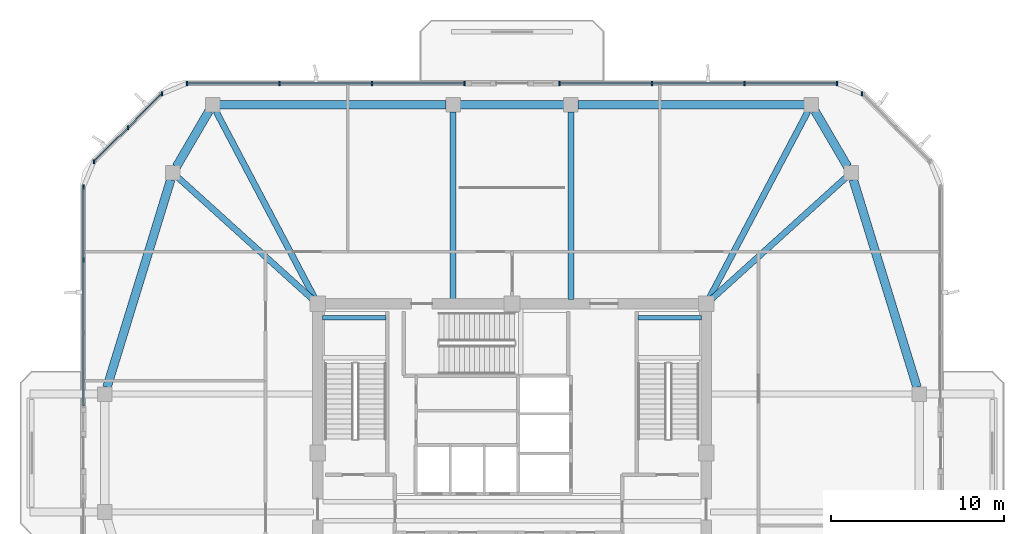
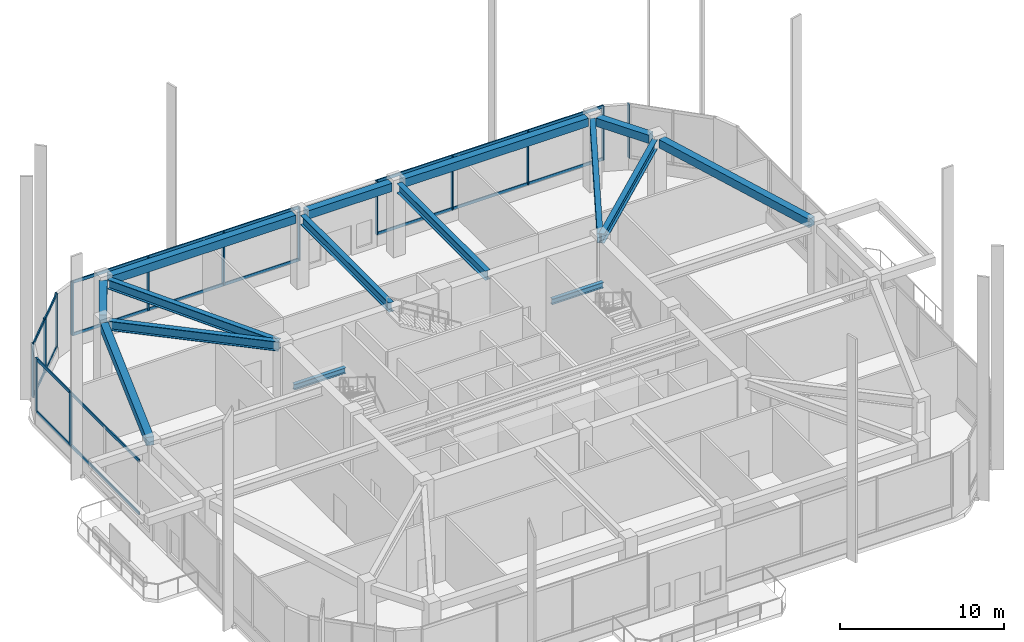
# One storey, part 4 of 14: 22 members, 15 beams, 5 elements without a shape of their own.
"""IFC4 building model written with IfcOpenShell, lengths in metres."""

import ifcopenshell
import ifcopenshell.guid

model = None  # the IFC model being written
_history = None  # IfcOwnerHistory: only IFC2X3 demands one
_inside = {}  # id of a spatial element -> (the spatial element, [elements in it])
_under = {}  # id of a project, library or spatial element -> (it, [spatial elements below it])
_declared = {}  # id of a project -> (the project, [libraries it declares])
_typed = {}  # id of a type object -> (the type object, [elements of that type])
_made_of = {}  # id of a material, layer set ... -> (it, [elements and type objects made of it])


def new_model(schema):
    """Start an empty IFC model of exactly this schema.

    Asked for "IFC4X3", IfcOpenShell would pick the latest addendum, in which some entities
    have other attributes; the version numbers below select the first issue.
    IFC2X3 requires an IfcOwnerHistory on every rooted entity: one is made here for all.
    """
    global model, _history
    if schema == "IFC4X3":
        model = ifcopenshell.file(schema_version=(4, 3, 0, 0))
    else:
        model = ifcopenshell.file(schema=schema)
    _inside.clear()
    _under.clear()
    _declared.clear()
    _typed.clear()
    _made_of.clear()
    _history = None
    if model.schema == "IFC2X3":
        org = make("IfcOrganization", Name="unknown")
        user = make(
            "IfcPersonAndOrganization",
            ThePerson=make("IfcPerson", FamilyName="unknown"),
            TheOrganization=org,
        )
        app = make(
            "IfcApplication",
            ApplicationDeveloper=org,
            Version="unknown",
            ApplicationFullName="unknown",
            ApplicationIdentifier="unknown",
        )
        _history = make(
            "IfcOwnerHistory",
            OwningUser=user,
            OwningApplication=app,
            ChangeAction="ADDED",
            CreationDate=0,
        )
    return model


def make(cls, **values):
    """One entity of the class cls with the attributes given. An attribute that is None is left unset."""
    return model.create_entity(
        cls, **{name: value for name, value in values.items() if value is not None}
    )


def rooted(cls, **values):
    """An entity with a GlobalId (a new one), such as an element, a storey or a relation."""
    return make(cls, GlobalId=ifcopenshell.guid.new(), OwnerHistory=_history, **values)


def si_unit(unit_type, name, prefix=None):
    """IfcSIUnit, for example si_unit("LENGTHUNIT", "METRE", prefix="MILLI")."""
    return make("IfcSIUnit", UnitType=unit_type, Prefix=prefix, Name=name)


def derived_unit(unit_type, elements):
    """IfcDerivedUnit: a product of units, each with its exponent."""
    return make(
        "IfcDerivedUnit",
        Elements=[
            make("IfcDerivedUnitElement", Unit=unit, Exponent=power)
            for unit, power in elements
        ],
        UnitType=unit_type,
    )


def assignment(units):
    """IfcUnitAssignment: the units of a project."""
    return None if units is None else make("IfcUnitAssignment", Units=units)


def point(xyz):
    """IfcCartesianPoint."""
    return None if xyz is None else make("IfcCartesianPoint", Coordinates=xyz)


def direction(xyz):
    """IfcDirection."""
    return None if xyz is None else make("IfcDirection", DirectionRatios=xyz)


def frame(location, z_axis=None, x_axis=None):
    """IfcAxis2Placement3D, a coordinate frame: its origin and axes. An axis left out is left unset."""
    return make(
        "IfcAxis2Placement3D",
        Location=point(location),
        Axis=direction(z_axis),
        RefDirection=direction(x_axis),
    )


def frame_2d(location, x_axis=None):
    """IfcAxis2Placement2D, a coordinate frame in the plane: its origin and x axis."""
    return make(
        "IfcAxis2Placement2D", Location=point(location), RefDirection=direction(x_axis)
    )


def origin():
    """The frame at (0, 0, 0) with its axes left unset."""
    return frame((0.0, 0.0, 0.0))


def origin_2d():
    """The frame at (0, 0) in the plane with its x axis left unset."""
    return frame_2d((0.0, 0.0))


def place(relative_to, where):
    """IfcLocalPlacement: puts the frame where relative to a parent placement (None: the world)."""
    return make(
        "IfcLocalPlacement", PlacementRelTo=relative_to, RelativePlacement=where
    )


def context(
    kind, dimensions, precision=None, world=None, true_north=None, identifier=None
):
    """IfcGeometricRepresentationContext, for example the 3D "Model" context."""
    return make(
        "IfcGeometricRepresentationContext",
        ContextIdentifier=identifier,
        ContextType=kind,
        CoordinateSpaceDimension=dimensions,
        Precision=precision,
        WorldCoordinateSystem=world,
        TrueNorth=true_north,
    )


def subcontext(parent, identifier, kind, view, scale=None):
    """IfcGeometricRepresentationSubContext, for example "Body" below "Model"."""
    return make(
        "IfcGeometricRepresentationSubContext",
        ContextIdentifier=identifier,
        ContextType=kind,
        ParentContext=parent,
        TargetScale=scale,
        TargetView=view,
    )


def project(units=None, contexts=None):
    """IfcProject with its units and contexts."""
    return rooted(
        "IfcProject",
        Name="project",
        RepresentationContexts=contexts,
        UnitsInContext=assignment(units),
    )


def spatial(cls, under=None, at=None, **own):
    """A site, building, storey or space (cls), placed at a placement, below another one or the project."""
    s = rooted(cls, ObjectPlacement=at, **own)
    if under is not None:
        _under.setdefault(under.id(), (under, []))[1].append(s)
    return s


def profile(cls, at=None, kind="AREA", **sizes):
    """A parametric profile (cls). Its sizes go by their IFC names, for example OverallWidth=200.0."""
    return make(cls, ProfileType=kind, Position=at, **sizes)


def rectangle(**sizes):
    """IfcRectangleProfileDef."""
    return profile("IfcRectangleProfileDef", **sizes)


def i_section(**sizes):
    """IfcIShapeProfileDef."""
    return profile("IfcIShapeProfileDef", **sizes)


def extrude(swept, where, along, depth):
    """IfcExtrudedAreaSolid: the profile swept, set in the frame where, extruded along a direction by depth."""
    return make(
        "IfcExtrudedAreaSolid",
        SweptArea=swept,
        Position=where,
        ExtrudedDirection=direction(along),
        Depth=depth,
    )


def shape(context_of_items, identifier, shape_type, items):
    """IfcShapeRepresentation: the items that make up one representation, for example the "Body"."""
    return make(
        "IfcShapeRepresentation",
        ContextOfItems=context_of_items,
        RepresentationIdentifier=identifier,
        RepresentationType=shape_type,
        Items=items,
    )


def material(Name=None, Category=None):
    """IfcMaterial."""
    return make("IfcMaterial", Name=Name, Category=Category)


def material_profile(
    of_material, cross_section, Name=None, Category=None, Priority=None
):
    """IfcMaterialProfile: a cross section and its material."""
    return make(
        "IfcMaterialProfile",
        Name=Name,
        Material=of_material,
        Profile=cross_section,
        Priority=Priority,
        Category=Category,
    )


def profile_set(profiles, Name=None, composite=None):
    """IfcMaterialProfileSet."""
    return make(
        "IfcMaterialProfileSet",
        Name=Name,
        MaterialProfiles=profiles,
        CompositeProfile=composite,
    )


def made_of(thing, what):
    """Note that an element or type object is made of a material, layer set ...; save() writes the relation."""
    if what is not None:
        _made_of.setdefault(what.id(), (what, []))[1].append(thing)
    return thing


def type_object(cls, material=None, **own):
    """A type object (cls), such as IfcWallType, which elements share."""
    return made_of(rooted(cls, **own), material)


def element(
    cls,
    number,
    at=None,
    inside=None,
    cuts=None,
    type_object=None,
    material=None,
    context=None,
    identifier="Body",
    shape_type=None,
    held_by="IfcProductDefinitionShape",
    body=None,
    shapes=None,
    **own,
):
    """One element of the class cls, such as IfcWall. Its Tag is "e" and its number.

    at: its placement. inside: the storey or other place that contains it. cuts: it is an
    opening in that element (IfcRelVoidsElement). A single representation is given by context,
    identifier, shape_type and body (its items); several are given by shapes. held_by: the class
    of the entity that holds the representations. save() writes the other relations.
    """
    e = rooted(cls, Tag="e%d" % number, ObjectPlacement=at, **own)
    if body is not None:
        shapes = [shape(context, identifier, shape_type, body)]
    if shapes is not None:
        e.Representation = make(held_by, Representations=shapes)
    if inside is not None:
        _inside.setdefault(inside.id(), (inside, []))[1].append(e)
    if cuts is not None:
        rooted(
            "IfcRelVoidsElement", RelatingBuildingElement=cuts, RelatedOpeningElement=e
        )
    if type_object is not None:
        _typed.setdefault(type_object.id(), (type_object, []))[1].append(e)
    return made_of(e, material)


def aggregate(whole, parts):
    """IfcRelAggregates: a whole, such as a stair, and the parts it consists of."""
    return rooted("IfcRelAggregates", RelatingObject=whole, RelatedObjects=parts)


def save(model, path):
    """Write the relations noted so far, then the file.

    IfcRelAggregates (storeys below a building ...), IfcRelContainedInSpatialStructure (elements
    in a storey), IfcRelDefinesByType, IfcRelAssociatesMaterial and IfcRelDeclares: one each for
    every whole, place, type object, material and project.
    """
    for whole, parts in _under.values():
        aggregate(whole, parts)
    for where, things in _inside.values():
        rooted(
            "IfcRelContainedInSpatialStructure",
            RelatedElements=things,
            RelatingStructure=where,
        )
    for kind, things in _typed.values():
        rooted("IfcRelDefinesByType", RelatedObjects=things, RelatingType=kind)
    for what, things in _made_of.values():
        rooted("IfcRelAssociatesMaterial", RelatedObjects=things, RelatingMaterial=what)
    for by, libraries in _declared.values():
        rooted("IfcRelDeclares", RelatingContext=by, RelatedDefinitions=libraries)
    model.write(path)


model = new_model("IFC4")

# Units and contexts
model_context = context("Model", 3, precision=1e-05, world=origin(), true_north=direction((0.0, 1.0)))
body_context = subcontext(model_context, "Body", "Model", "MODEL_VIEW")
ifc_project = project(units=[si_unit("LENGTHUNIT", "METRE"), si_unit("AREAUNIT", "SQUARE_METRE"), si_unit("VOLUMEUNIT", "CUBIC_METRE"), si_unit("PLANEANGLEUNIT", "RADIAN"), si_unit("MASSUNIT", "GRAM", prefix="KILO"), derived_unit("THERMALTRANSMITTANCEUNIT", [(si_unit("POWERUNIT", "WATT"), 1), (si_unit("LENGTHUNIT", "METRE"), -2), (si_unit("THERMODYNAMICTEMPERATUREUNIT", "KELVIN"), -1)])], contexts=[model_context])

# Site, building, storey
site_placement = place(None, origin())
site = spatial("IfcSite", under=ifc_project, at=site_placement, CompositionType="ELEMENT")
building_placement = place(site_placement, origin())
building = spatial("IfcBuilding", under=site, at=building_placement, Name="Koralith Skygarden Medical Center", CompositionType="ELEMENT")
storey_placement = place(building_placement, frame((0.0, 0.0, 237.06005859375)))
storey = spatial("IfcBuildingStorey", under=building, at=storey_placement, Name="L61", CompositionType="ELEMENT", Elevation=237.06005859375)

# Curtain wall, member
ifc_material_1 = material(Name="Clear Laminated Glass", Category="glass")
curtain_wall_type = type_object("IfcCurtainWallType", Name="CW-7 Sky-Garden & Pool Conservatory Wall", PredefinedType="NOTDEFINED", material=ifc_material_1)
curtain_wall_1_placement = place(storey_placement, origin())
curtain_wall_1 = element("IfcCurtainWall", 1, at=curtain_wall_1_placement, inside=storey, type_object=curtain_wall_type, Name="Curtain Wall CW-L61-NE", PredefinedType="NOTDEFINED")
ifc_material_2 = material(Name="Aluminium 6063-T6", Category="aluminium")
ifc_material_profile_1 = material_profile(ifc_material_2, rectangle(XDim=0.0859375, YDim=0.25, at=origin_2d()), Name="MUL86X250")
ifc_profile_set_1 = profile_set([ifc_material_profile_1], Name="Aluminium 6063-T6")
member_type_1 = type_object("IfcMemberType", Name="CW-7 Extruded Mullion 86x250", PredefinedType="MULLION", material=ifc_profile_set_1)
member_1_placement = place(storey_placement, frame((57.196044921875, 46.618896484375, 0.849853515625), z_axis=(0.0, 0.0, 1.0), x_axis=(1.0, 0.0, 0.0)))
member_1 = element("IfcMember", 2, at=member_1_placement, type_object=member_type_1, Name="CW-L61-NE Mullion 3", PredefinedType="MULLION", context=body_context, shape_type="SweptSolid", body=[
    extrude(rectangle(XDim=0.0859375, YDim=0.25, at=origin_2d()), origin(), (0.0, 0.0, 1.0), 4.0),
])
aggregate(curtain_wall_1, [member_1])

# Curtain wall, members
curtain_wall_2_placement = place(storey_placement, origin())
curtain_wall_2 = element("IfcCurtainWall", 3, at=curtain_wall_2_placement, inside=storey, type_object=curtain_wall_type, Name="Curtain Wall CW-L61-N-L", PredefinedType="NOTDEFINED")
member_2_placement = place(storey_placement, frame((55.7451171875, 47.219970703125, 0.849853515625), z_axis=(0.0, 0.0, 1.0), x_axis=(1.0, 0.0, 0.0)))
member_2 = element("IfcMember", 4, at=member_2_placement, type_object=member_type_1, Name="CW-L61-N-L Mullion 1", PredefinedType="MULLION", context=body_context, shape_type="SweptSolid", body=[
    extrude(rectangle(XDim=0.0859375, YDim=0.25, at=origin_2d()), origin(), (0.0, 0.0, 1.0), 4.0),
])
member_3_placement = place(storey_placement, frame((50.409912109375, 47.219970703125, 0.849853515625), z_axis=(0.0, 0.0, 1.0), x_axis=(1.0, 0.0, 0.0)))
member_3 = element("IfcMember", 5, at=member_3_placement, type_object=member_type_1, Name="CW-L61-N-L Mullion 2", PredefinedType="MULLION", context=body_context, shape_type="SweptSolid", body=[
    extrude(rectangle(XDim=0.0859375, YDim=0.25, at=origin_2d()), origin(), (0.0, 0.0, 1.0), 4.0),
])
member_4_placement = place(storey_placement, frame((45.075927734375, 47.219970703125, 0.849853515625), z_axis=(0.0, 0.0, 1.0), x_axis=(1.0, 0.0, 0.0)))
member_4 = element("IfcMember", 6, at=member_4_placement, type_object=member_type_1, Name="CW-L61-N-L Mullion 3", PredefinedType="MULLION", context=body_context, shape_type="SweptSolid", body=[
    extrude(rectangle(XDim=0.0859375, YDim=0.25, at=origin_2d()), origin(), (0.0, 0.0, 1.0), 4.0),
])
member_5_placement = place(storey_placement, frame((39.740966796875, 47.219970703125, 0.849853515625), z_axis=(0.0, 0.0, 1.0), x_axis=(1.0, 0.0, 0.0)))
member_5 = element("IfcMember", 7, at=member_5_placement, type_object=member_type_1, Name="CW-L61-N-L Mullion 4", PredefinedType="MULLION", context=body_context, shape_type="SweptSolid", body=[
    extrude(rectangle(XDim=0.0859375, YDim=0.25, at=origin_2d()), origin(), (0.0, 0.0, 1.0), 4.0),
])

curtain_wall_3_placement = place(storey_placement, origin())
curtain_wall_3 = element("IfcCurtainWall", 8, at=curtain_wall_3_placement, inside=storey, type_object=curtain_wall_type, Name="Curtain Wall CW-L61-N-R", PredefinedType="NOTDEFINED")
member_6_placement = place(storey_placement, frame((34.260986328125, 47.219970703125, 0.849853515625), z_axis=(0.0, 0.0, 1.0), x_axis=(1.0, 0.0, 0.0)))
member_6 = element("IfcMember", 9, at=member_6_placement, type_object=member_type_1, Name="CW-L61-N-R Mullion 1", PredefinedType="MULLION", context=body_context, shape_type="SweptSolid", body=[
    extrude(rectangle(XDim=0.0859375, YDim=0.25, at=origin_2d()), origin(), (0.0, 0.0, 1.0), 4.0),
])
member_7_placement = place(storey_placement, frame((28.926025390625, 47.219970703125, 0.849853515625), z_axis=(0.0, 0.0, 1.0), x_axis=(1.0, 0.0, 0.0)))
member_7 = element("IfcMember", 10, at=member_7_placement, type_object=member_type_1, Name="CW-L61-N-R Mullion 2", PredefinedType="MULLION", context=body_context, shape_type="SweptSolid", body=[
    extrude(rectangle(XDim=0.0859375, YDim=0.25, at=origin_2d()), origin(), (0.0, 0.0, 1.0), 4.0),
])
member_8_placement = place(storey_placement, frame((23.590087890625, 47.219970703125, 0.849853515625), z_axis=(0.0, 0.0, 1.0), x_axis=(1.0, 0.0, 0.0)))
member_8 = element("IfcMember", 11, at=member_8_placement, type_object=member_type_1, Name="CW-L61-N-R Mullion 3", PredefinedType="MULLION", context=body_context, shape_type="SweptSolid", body=[
    extrude(rectangle(XDim=0.0859375, YDim=0.25, at=origin_2d()), origin(), (0.0, 0.0, 1.0), 4.0),
])
member_9_placement = place(storey_placement, frame((18.2548828125, 47.219970703125, 0.849853515625), z_axis=(0.0, 0.0, 1.0), x_axis=(1.0, 0.0, 0.0)))
member_9 = element("IfcMember", 12, at=member_9_placement, type_object=member_type_1, Name="CW-L61-N-R Mullion 4", PredefinedType="MULLION", context=body_context, shape_type="SweptSolid", body=[
    extrude(rectangle(XDim=0.0859375, YDim=0.25, at=origin_2d()), origin(), (0.0, 0.0, 1.0), 4.0),
])

curtain_wall_4_placement = place(storey_placement, origin())
curtain_wall_4 = element("IfcCurtainWall", 13, at=curtain_wall_4_placement, inside=storey, type_object=curtain_wall_type, Name="Curtain Wall CW-L61-NW", PredefinedType="NOTDEFINED")
member_10_placement = place(storey_placement, frame((16.803955078125, 46.618896484375, 0.849853515625), z_axis=(0.0, 0.0, 1.0), x_axis=(1.0, 0.0, 0.0)))
member_10 = element("IfcMember", 14, at=member_10_placement, type_object=member_type_1, Name="CW-L61-NW Mullion 1", PredefinedType="MULLION", context=body_context, shape_type="SweptSolid", body=[
    extrude(rectangle(XDim=0.0859375, YDim=0.25, at=origin_2d()), origin(), (0.0, 0.0, 1.0), 4.0),
])
member_11_placement = place(storey_placement, frame((14.842041015625, 44.656982421875, 0.849853515625), z_axis=(0.0, 0.0, 1.0), x_axis=(1.0, 0.0, 0.0)))
member_11 = element("IfcMember", 15, at=member_11_placement, type_object=member_type_1, Name="CW-L61-NW Mullion 2", PredefinedType="MULLION", context=body_context, shape_type="SweptSolid", body=[
    extrude(rectangle(XDim=0.0859375, YDim=0.25, at=origin_2d()), origin(), (0.0, 0.0, 1.0), 4.0),
])
member_12_placement = place(storey_placement, frame((12.881103515625, 42.696044921875, 0.849853515625), z_axis=(0.0, 0.0, 1.0), x_axis=(1.0, 0.0, 0.0)))
member_12 = element("IfcMember", 16, at=member_12_placement, type_object=member_type_1, Name="CW-L61-NW Mullion 3", PredefinedType="MULLION", context=body_context, shape_type="SweptSolid", body=[
    extrude(rectangle(XDim=0.0859375, YDim=0.25, at=origin_2d()), origin(), (0.0, 0.0, 1.0), 4.0),
])

curtain_wall_5_placement = place(storey_placement, origin())
curtain_wall_5 = element("IfcCurtainWall", 17, at=curtain_wall_5_placement, inside=storey, type_object=curtain_wall_type, Name="Curtain Wall CW-L61-W-L", PredefinedType="NOTDEFINED")
member_13_placement = place(storey_placement, frame((12.280029296875, 41.2451171875, 0.849853515625), z_axis=(0.0, 0.0, 1.0), x_axis=(1.0, 0.0, 0.0)))
member_13 = element("IfcMember", 18, at=member_13_placement, type_object=member_type_1, Name="CW-L61-W-L Mullion 1", PredefinedType="MULLION", context=body_context, shape_type="SweptSolid", body=[
    extrude(rectangle(XDim=0.0859375, YDim=0.25, at=origin_2d()), origin(), (0.0, 0.0, 1.0), 4.0),
])
member_14_placement = place(storey_placement, frame((12.280029296875, 37.04296875, 0.849853515625), z_axis=(0.0, 0.0, 1.0), x_axis=(1.0, 0.0, 0.0)))
member_14 = element("IfcMember", 19, at=member_14_placement, type_object=member_type_1, Name="CW-L61-W-L Mullion 2", PredefinedType="MULLION", context=body_context, shape_type="SweptSolid", body=[
    extrude(rectangle(XDim=0.0859375, YDim=0.25, at=origin_2d()), origin(), (0.0, 0.0, 1.0), 4.0),
])

# Member
ifc_material_profile_2 = material_profile(ifc_material_2, rectangle(XDim=0.0810546875, YDim=0.22509765625, at=origin_2d()), Name="TRN81X225")
ifc_profile_set_2 = profile_set([ifc_material_profile_2], Name="Aluminium 6063-T6")
member_type_2 = type_object("IfcMemberType", Name="CW-7 Thermal Transom 81x225", PredefinedType="USERDEFINED", material=ifc_profile_set_2)
member_15_placement = place(storey_placement, frame((55.7451171875, 47.219970703125, 0.89990234375), z_axis=(-1.0, 0.0, 0.0), x_axis=(0.0, -1.0, 0.0)))
member_15 = element("IfcMember", 20, at=member_15_placement, type_object=member_type_2, Name="CW-L61-N-L Transom 1", ObjectType="TRANSOM", PredefinedType="USERDEFINED", context=body_context, shape_type="SweptSolid", body=[
    extrude(rectangle(XDim=0.0810546875, YDim=0.22509765625, at=origin_2d()), origin(), (0.0, 0.0, 1.0), 16.004150390625),
])

member_16_placement = place(storey_placement, frame((55.7451171875, 47.219970703125, 4.800048828125), z_axis=(-1.0, 0.0, 0.0), x_axis=(0.0, -1.0, 0.0)))
member_16 = element("IfcMember", 21, at=member_16_placement, type_object=member_type_2, Name="CW-L61-N-L Transom 2", ObjectType="TRANSOM", PredefinedType="USERDEFINED", context=body_context, shape_type="SweptSolid", body=[
    extrude(rectangle(XDim=0.0810546875, YDim=0.22509765625, at=origin_2d()), origin(), (0.0, 0.0, 1.0), 16.004150390625),
])

aggregate(curtain_wall_2, [member_2, member_3, member_4, member_5, member_15, member_16])

member_17_placement = place(storey_placement, frame((34.260986328125, 47.219970703125, 0.89990234375), z_axis=(-1.0, 0.0, 0.0), x_axis=(0.0, -1.0, 0.0)))
member_17 = element("IfcMember", 22, at=member_17_placement, type_object=member_type_2, Name="CW-L61-N-R Transom 1", ObjectType="TRANSOM", PredefinedType="USERDEFINED", context=body_context, shape_type="SweptSolid", body=[
    extrude(rectangle(XDim=0.0810546875, YDim=0.22509765625, at=origin_2d()), origin(), (0.0, 0.0, 1.0), 16.006103515625),
])

member_18_placement = place(storey_placement, frame((34.260986328125, 47.219970703125, 4.800048828125), z_axis=(-1.0, 0.0, 0.0), x_axis=(0.0, -1.0, 0.0)))
member_18 = element("IfcMember", 23, at=member_18_placement, type_object=member_type_2, Name="CW-L61-N-R Transom 2", ObjectType="TRANSOM", PredefinedType="USERDEFINED", context=body_context, shape_type="SweptSolid", body=[
    extrude(rectangle(XDim=0.0810546875, YDim=0.22509765625, at=origin_2d()), origin(), (0.0, 0.0, 1.0), 16.006103515625),
])

aggregate(curtain_wall_3, [member_6, member_7, member_8, member_9, member_17, member_18])

member_19_placement = place(storey_placement, frame((16.803955078125, 46.618896484375, 0.89990234375), z_axis=(-0.707106781187, -0.707106781187, 0.0), x_axis=(0.707106781187, -0.707106781187, 0.0)))
member_19 = element("IfcMember", 24, at=member_19_placement, type_object=member_type_2, Name="CW-L61-NW Transom 1", ObjectType="TRANSOM", PredefinedType="USERDEFINED", context=body_context, shape_type="SweptSolid", body=[
    extrude(rectangle(XDim=0.0810546875, YDim=0.22509765625, at=origin_2d()), origin(), (0.0, 0.0, 1.0), 5.5478515625),
])

member_20_placement = place(storey_placement, frame((16.803955078125, 46.618896484375, 4.800048828125), z_axis=(-0.707106781187, -0.707106781187, 0.0), x_axis=(0.707106781187, -0.707106781187, 0.0)))
member_20 = element("IfcMember", 25, at=member_20_placement, type_object=member_type_2, Name="CW-L61-NW Transom 2", ObjectType="TRANSOM", PredefinedType="USERDEFINED", context=body_context, shape_type="SweptSolid", body=[
    extrude(rectangle(XDim=0.0810546875, YDim=0.22509765625, at=origin_2d()), origin(), (0.0, 0.0, 1.0), 5.5478515625),
])

aggregate(curtain_wall_4, [member_10, member_11, member_12, member_19, member_20])

member_21_placement = place(storey_placement, frame((12.280029296875, 41.2451171875, 0.89990234375), z_axis=(0.0, -1.0, 0.0), x_axis=(1.0, 0.0, 0.0)))
member_21 = element("IfcMember", 26, at=member_21_placement, type_object=member_type_2, Name="CW-L61-W-L Transom 1", ObjectType="TRANSOM", PredefinedType="USERDEFINED", context=body_context, shape_type="SweptSolid", body=[
    extrude(rectangle(XDim=0.0810546875, YDim=0.22509765625, at=origin_2d()), origin(), (0.0, 0.0, 1.0), 12.605224609375),
])

member_22_placement = place(storey_placement, frame((12.280029296875, 41.2451171875, 4.800048828125), z_axis=(0.0, -1.0, 0.0), x_axis=(1.0, 0.0, 0.0)))
member_22 = element("IfcMember", 27, at=member_22_placement, type_object=member_type_2, Name="CW-L61-W-L Transom 2", ObjectType="TRANSOM", PredefinedType="USERDEFINED", context=body_context, shape_type="SweptSolid", body=[
    extrude(rectangle(XDim=0.0810546875, YDim=0.22509765625, at=origin_2d()), origin(), (0.0, 0.0, 1.0), 12.605224609375),
])

aggregate(curtain_wall_5, [member_13, member_14, member_21, member_22])

# Beams
ifc_material_3 = material(Name="Steel ASTM A992 Grade 50", Category="steel")
ifc_material_profile_3 = material_profile(ifc_material_3, i_section(OverallWidth=0.260009765625, OverallDepth=0.4150390625, WebThickness=0.010009765625, FlangeThickness=0.016845703125, at=origin_2d()), Name="W16X67")
ifc_profile_set_3 = profile_set([ifc_material_profile_3], Name="Steel ASTM A992 Grade 50")
beam_type_1 = type_object("IfcBeamType", Name="Clinical Floor Joist W16X67", PredefinedType="JOIST", material=ifc_profile_set_3)
for number, where, z_axis, x_axis, name in (
    (28, (26.080078125, 33.699951171875, 2.471923828125), (1.0, 0.0, 0.0), (0.0, 1.0, 0.0), "L61 Stair ST1 Half-Landing Support Beam 1B"),
    (29, (44.280029296875, 33.699951171875, 2.471923828125), (1.0, 0.0, 0.0), (0.0, 1.0, 0.0), "L61 Stair ST2 Half-Landing Support Beam 1B"),
):
    element("IfcBeam", number, at=place(storey_placement, frame(where, z_axis=z_axis, x_axis=x_axis)), inside=storey, type_object=beam_type_1, Name=name, PredefinedType="JOIST", context=body_context, shape_type="SweptSolid", body=[
        extrude(i_section(OverallWidth=0.260009765625, OverallDepth=0.4150390625, WebThickness=0.010009765625, FlangeThickness=0.016845703125, at=origin_2d()), origin(), (0.0, 0.0, 1.0), 3.639892578125),
    ])
ifc_material_profile_4 = material_profile(ifc_material_3, i_section(OverallWidth=0.35595703125, OverallDepth=0.700927734375, WebThickness=0.016845703125, FlangeThickness=0.02734375, at=origin_2d()), Name="W27X161")
ifc_profile_set_4 = profile_set([ifc_material_profile_4], Name="Steel ASTM A992 Grade 50")
beam_type_2 = type_object("IfcBeamType", Name="Sky-Lobby Radial Girder W27X161", PredefinedType="BEAM", material=ifc_profile_set_4)
beam_1_placement = place(storey_placement, frame((48.385009765625, 34.66796875, 5.12890625), z_axis=(0.741747768548, 0.670678945438, 0.0), x_axis=(-0.670678945438, 0.741747768548, 0.0)))
element("IfcBeam", 30, at=beam_1_placement, inside=storey, type_object=beam_type_2, Name="L61 Radial Collector Beam RB-10", PredefinedType="BEAM", context=body_context, shape_type="SweptSolid", body=[
    extrude(i_section(OverallWidth=0.35595703125, OverallDepth=0.700927734375, WebThickness=0.016845703125, FlangeThickness=0.02734375, at=origin_2d()), origin(), (0.0, 0.0, 1.0), 10.611572265625),
])
beam_2_placement = place(storey_placement, frame((48.31689453125, 34.720947265625, 5.12890625), z_axis=(0.467256895772, 0.884121594213, 0.0), x_axis=(-0.884121594213, 0.467256895772, 0.0)))
element("IfcBeam", 31, at=beam_2_placement, inside=storey, type_object=beam_type_2, Name="L61 Radial Collector Beam RB-11", PredefinedType="BEAM", context=body_context, shape_type="SweptSolid", body=[
    extrude(i_section(OverallWidth=0.35595703125, OverallDepth=0.700927734375, WebThickness=0.016845703125, FlangeThickness=0.02734375, at=origin_2d()), origin(), (0.0, 0.0, 1.0), 12.3251953125),
])
for number, where, z_axis, x_axis, name in (
    (32, (40.39990234375, 34.75, 5.12890625), (0.0, 1.0, 0.0), (-1.0, 0.0, 0.0), "L61 Radial Collector Beam RB-12"),
    (33, (33.60009765625, 34.75, 5.12890625), (0.0, 1.0, 0.0), (-1.0, 0.0, 0.0), "L61 Radial Collector Beam RB-13"),
):
    element("IfcBeam", number, at=place(storey_placement, frame(where, z_axis=z_axis, x_axis=x_axis)), inside=storey, type_object=beam_type_2, Name=name, PredefinedType="BEAM", context=body_context, shape_type="SweptSolid", body=[
        extrude(i_section(OverallWidth=0.35595703125, OverallDepth=0.700927734375, WebThickness=0.016845703125, FlangeThickness=0.02734375, at=origin_2d()), origin(), (0.0, 0.0, 1.0), 10.820068359375),
    ])
beam_3_placement = place(storey_placement, frame((25.68310546875, 34.720947265625, 5.12890625), z_axis=(-0.467256895772, 0.884121594213, 0.0), x_axis=(-0.884121594213, -0.467256895772, 0.0)))
element("IfcBeam", 34, at=beam_3_placement, inside=storey, type_object=beam_type_2, Name="L61 Radial Collector Beam RB-14", PredefinedType="BEAM", context=body_context, shape_type="SweptSolid", body=[
    extrude(i_section(OverallWidth=0.35595703125, OverallDepth=0.700927734375, WebThickness=0.016845703125, FlangeThickness=0.02734375, at=origin_2d()), origin(), (0.0, 0.0, 1.0), 12.3251953125),
])
beam_4_placement = place(storey_placement, frame((25.614990234375, 34.66796875, 5.12890625), z_axis=(-0.741747768548, 0.670678945438, 0.0), x_axis=(-0.670678945438, -0.741747768548, 0.0)))
element("IfcBeam", 35, at=beam_4_placement, inside=storey, type_object=beam_type_2, Name="L61 Radial Collector Beam RB-15", PredefinedType="BEAM", context=body_context, shape_type="SweptSolid", body=[
    extrude(i_section(OverallWidth=0.35595703125, OverallDepth=0.700927734375, WebThickness=0.016845703125, FlangeThickness=0.02734375, at=origin_2d()), origin(), (0.0, 0.0, 1.0), 10.611572265625),
])
ifc_material_4 = material(Name="Concrete C45/55", Category="concrete")
ifc_material_profile_5 = material_profile(ifc_material_4, rectangle(XDim=0.5, YDim=0.6201171875, at=origin_2d()), Name="RCB500X620")
ifc_profile_set_5 = profile_set([ifc_material_profile_5], Name="Concrete C45/55")
beam_type_3 = type_object("IfcBeamType", Name="Zone 4-5 Spandrel Beam RCB500X620", PredefinedType="SPANDREL", material=ifc_profile_set_5)
beam_5_placement = place(storey_placement, frame((60.360107421875, 29.69189453125, 5.169921875), z_axis=(-0.293738023424, 0.955885962652, 0.0), x_axis=(-0.955885962652, -0.293738023424, 0.0)))
element("IfcBeam", 36, at=beam_5_placement, inside=storey, type_object=beam_type_3, Name="L61 Perimeter Spandrel Beam SP-09", PredefinedType="SPANDREL", context=body_context, shape_type="SweptSolid", body=[
    extrude(rectangle(XDim=0.5, YDim=0.6201171875, at=origin_2d()), origin(), (0.0, 0.0, 1.0), 12.52880859375),
])
beam_6_placement = place(storey_placement, frame((56.35302734375, 42.4140625, 5.169921875), z_axis=(-0.50473571007, 0.863273921175, 0.0), x_axis=(-0.863273921175, -0.50473571007, 0.0)))
element("IfcBeam", 37, at=beam_6_placement, inside=storey, type_object=beam_type_3, Name="L61 Perimeter Spandrel Beam SP-10", PredefinedType="SPANDREL", context=body_context, shape_type="SweptSolid", body=[
    extrude(rectangle(XDim=0.5, YDim=0.6201171875, at=origin_2d()), origin(), (0.0, 0.0, 1.0), 3.720703125),
])
beam_7_placement = place(storey_placement, frame((53.85791015625, 45.97998046875, 5.169921875), z_axis=(-1.0, 0.0, 0.0), x_axis=(0.0, -1.0, 0.0)))
element("IfcBeam", 38, at=beam_7_placement, inside=storey, type_object=beam_type_3, Name="L61 Perimeter Spandrel Beam SP-11", PredefinedType="SPANDREL", context=body_context, shape_type="SweptSolid", body=[
    extrude(rectangle(XDim=0.5, YDim=0.6201171875, at=origin_2d()), origin(), (0.0, 0.0, 1.0), 13.0478515625),
])
beam_8_placement = place(storey_placement, frame((39.989990234375, 45.97998046875, 5.169921875), z_axis=(-1.0, 0.0, 0.0), x_axis=(0.0, -1.0, 0.0)))
element("IfcBeam", 39, at=beam_8_placement, inside=storey, type_object=beam_type_3, Name="L61 Perimeter Spandrel Beam SP-12", PredefinedType="SPANDREL", context=body_context, shape_type="SweptSolid", body=[
    extrude(rectangle(XDim=0.5, YDim=0.6201171875, at=origin_2d()), origin(), (0.0, 0.0, 1.0), 5.97998046875),
])
beam_9_placement = place(storey_placement, frame((33.18994140625, 45.97998046875, 5.169921875), z_axis=(-1.0, 0.0, 0.0), x_axis=(0.0, -1.0, 0.0)))
element("IfcBeam", 40, at=beam_9_placement, inside=storey, type_object=beam_type_3, Name="L61 Perimeter Spandrel Beam SP-13", PredefinedType="SPANDREL", context=body_context, shape_type="SweptSolid", body=[
    extrude(rectangle(XDim=0.5, YDim=0.6201171875, at=origin_2d()), origin(), (0.0, 0.0, 1.0), 13.0478515625),
])
beam_10_placement = place(storey_placement, frame((19.52490234375, 45.6259765625, 5.169921875), z_axis=(-0.50473571007, -0.863273921175, 0.0), x_axis=(0.863273921175, -0.50473571007, 0.0)))
element("IfcBeam", 41, at=beam_10_placement, inside=storey, type_object=beam_type_3, Name="L61 Perimeter Spandrel Beam SP-14", PredefinedType="SPANDREL", context=body_context, shape_type="SweptSolid", body=[
    extrude(rectangle(XDim=0.5, YDim=0.6201171875, at=origin_2d()), origin(), (0.0, 0.0, 1.0), 3.720703125),
])
beam_11_placement = place(storey_placement, frame((17.320068359375, 41.66796875, 5.169921875), z_axis=(-0.293738023424, -0.955885962652, 0.0), x_axis=(0.955885962652, -0.293738023424, 0.0)))
element("IfcBeam", 42, at=beam_11_placement, inside=storey, type_object=beam_type_3, Name="L61 Perimeter Spandrel Beam SP-15", PredefinedType="SPANDREL", context=body_context, shape_type="SweptSolid", body=[
    extrude(rectangle(XDim=0.5, YDim=0.6201171875, at=origin_2d()), origin(), (0.0, 0.0, 1.0), 12.52880859375),
])

save(model, "model.ifc")
